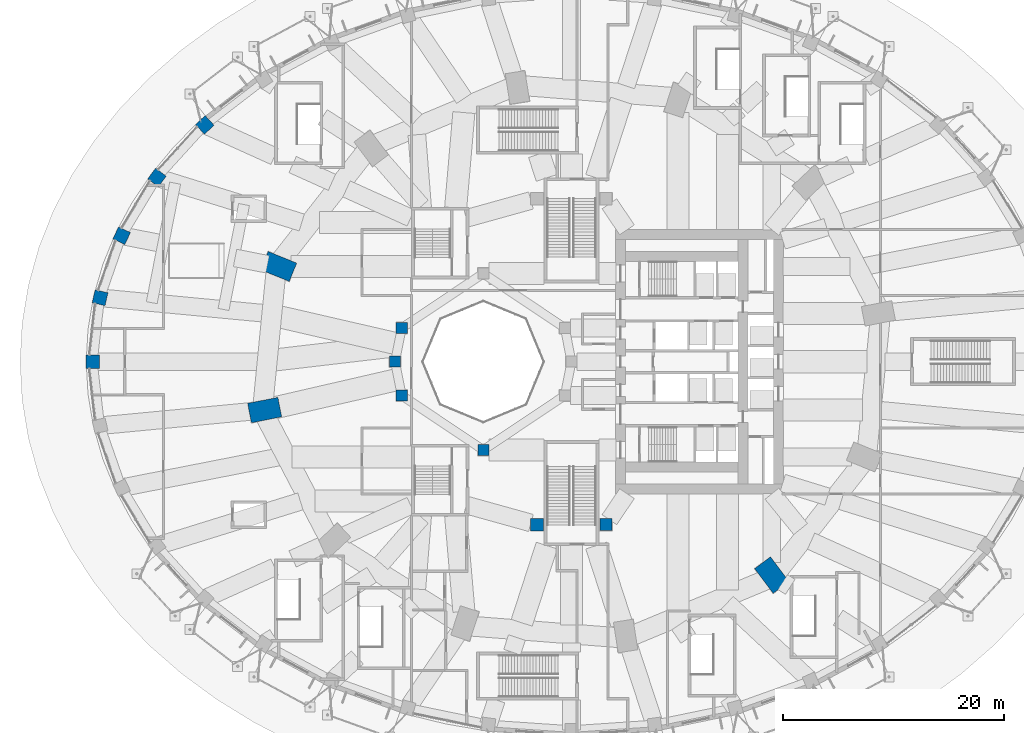
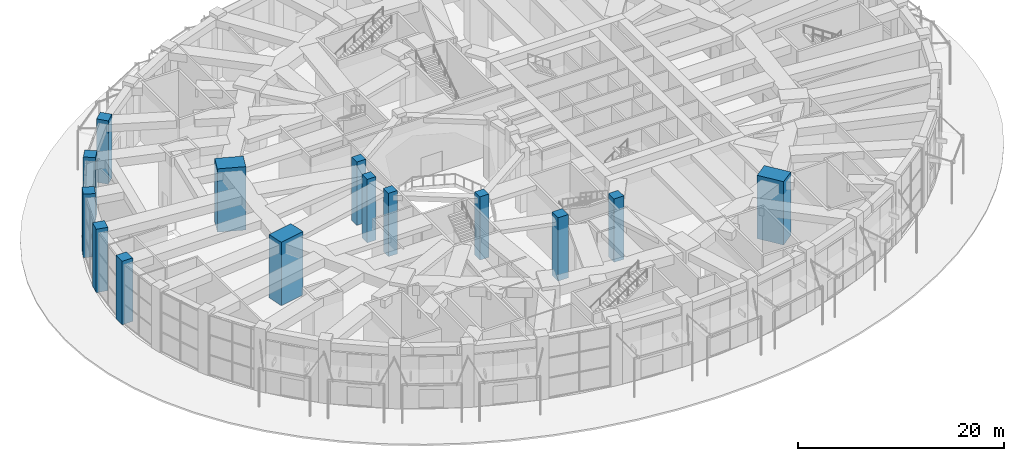
# One storey, part 8 of 60: 14 columns.
"""IFC4 building model written with IfcOpenShell, lengths in metres."""

import ifcopenshell
import ifcopenshell.guid

model = None  # the IFC model being written
_history = None  # IfcOwnerHistory: only IFC2X3 demands one
_inside = {}  # id of a spatial element -> (the spatial element, [elements in it])
_under = {}  # id of a project, library or spatial element -> (it, [spatial elements below it])
_declared = {}  # id of a project -> (the project, [libraries it declares])
_typed = {}  # id of a type object -> (the type object, [elements of that type])
_made_of = {}  # id of a material, layer set ... -> (it, [elements and type objects made of it])


def new_model(schema):
    """Start an empty IFC model of exactly this schema.

    Asked for "IFC4X3", IfcOpenShell would pick the latest addendum, in which some entities
    have other attributes; the version numbers below select the first issue.
    IFC2X3 requires an IfcOwnerHistory on every rooted entity: one is made here for all.
    """
    global model, _history
    if schema == "IFC4X3":
        model = ifcopenshell.file(schema_version=(4, 3, 0, 0))
    else:
        model = ifcopenshell.file(schema=schema)
    _inside.clear()
    _under.clear()
    _declared.clear()
    _typed.clear()
    _made_of.clear()
    _history = None
    if model.schema == "IFC2X3":
        org = make("IfcOrganization", Name="unknown")
        user = make(
            "IfcPersonAndOrganization",
            ThePerson=make("IfcPerson", FamilyName="unknown"),
            TheOrganization=org,
        )
        app = make(
            "IfcApplication",
            ApplicationDeveloper=org,
            Version="unknown",
            ApplicationFullName="unknown",
            ApplicationIdentifier="unknown",
        )
        _history = make(
            "IfcOwnerHistory",
            OwningUser=user,
            OwningApplication=app,
            ChangeAction="ADDED",
            CreationDate=0,
        )
    return model


def make(cls, **values):
    """One entity of the class cls with the attributes given. An attribute that is None is left unset."""
    return model.create_entity(
        cls, **{name: value for name, value in values.items() if value is not None}
    )


def rooted(cls, **values):
    """An entity with a GlobalId (a new one), such as an element, a storey or a relation."""
    return make(cls, GlobalId=ifcopenshell.guid.new(), OwnerHistory=_history, **values)


def si_unit(unit_type, name, prefix=None):
    """IfcSIUnit, for example si_unit("LENGTHUNIT", "METRE", prefix="MILLI")."""
    return make("IfcSIUnit", UnitType=unit_type, Prefix=prefix, Name=name)


def assignment(units):
    """IfcUnitAssignment: the units of a project."""
    return None if units is None else make("IfcUnitAssignment", Units=units)


def point(xyz):
    """IfcCartesianPoint."""
    return None if xyz is None else make("IfcCartesianPoint", Coordinates=xyz)


def direction(xyz):
    """IfcDirection."""
    return None if xyz is None else make("IfcDirection", DirectionRatios=xyz)


def frame(location, z_axis=None, x_axis=None):
    """IfcAxis2Placement3D, a coordinate frame: its origin and axes. An axis left out is left unset."""
    return make(
        "IfcAxis2Placement3D",
        Location=point(location),
        Axis=direction(z_axis),
        RefDirection=direction(x_axis),
    )


def frame_2d(location, x_axis=None):
    """IfcAxis2Placement2D, a coordinate frame in the plane: its origin and x axis."""
    return make(
        "IfcAxis2Placement2D", Location=point(location), RefDirection=direction(x_axis)
    )


def origin():
    """The frame at (0, 0, 0) with its axes left unset."""
    return frame((0.0, 0.0, 0.0))


def origin_2d():
    """The frame at (0, 0) in the plane with its x axis left unset."""
    return frame_2d((0.0, 0.0))


def place(relative_to, where):
    """IfcLocalPlacement: puts the frame where relative to a parent placement (None: the world)."""
    return make(
        "IfcLocalPlacement", PlacementRelTo=relative_to, RelativePlacement=where
    )


def context(
    kind, dimensions, precision=None, world=None, true_north=None, identifier=None
):
    """IfcGeometricRepresentationContext, for example the 3D "Model" context."""
    return make(
        "IfcGeometricRepresentationContext",
        ContextIdentifier=identifier,
        ContextType=kind,
        CoordinateSpaceDimension=dimensions,
        Precision=precision,
        WorldCoordinateSystem=world,
        TrueNorth=true_north,
    )


def subcontext(parent, identifier, kind, view, scale=None):
    """IfcGeometricRepresentationSubContext, for example "Body" below "Model"."""
    return make(
        "IfcGeometricRepresentationSubContext",
        ContextIdentifier=identifier,
        ContextType=kind,
        ParentContext=parent,
        TargetScale=scale,
        TargetView=view,
    )


def project(units=None, contexts=None):
    """IfcProject with its units and contexts."""
    return rooted(
        "IfcProject",
        Name="project",
        RepresentationContexts=contexts,
        UnitsInContext=assignment(units),
    )


def spatial(cls, under=None, at=None, **own):
    """A site, building, storey or space (cls), placed at a placement, below another one or the project."""
    s = rooted(cls, ObjectPlacement=at, **own)
    if under is not None:
        _under.setdefault(under.id(), (under, []))[1].append(s)
    return s


def profile(cls, at=None, kind="AREA", **sizes):
    """A parametric profile (cls). Its sizes go by their IFC names, for example OverallWidth=200.0."""
    return make(cls, ProfileType=kind, Position=at, **sizes)


def rectangle(**sizes):
    """IfcRectangleProfileDef."""
    return profile("IfcRectangleProfileDef", **sizes)


def extrude(swept, where, along, depth):
    """IfcExtrudedAreaSolid: the profile swept, set in the frame where, extruded along a direction by depth."""
    return make(
        "IfcExtrudedAreaSolid",
        SweptArea=swept,
        Position=where,
        ExtrudedDirection=direction(along),
        Depth=depth,
    )


def shape(context_of_items, identifier, shape_type, items):
    """IfcShapeRepresentation: the items that make up one representation, for example the "Body"."""
    return make(
        "IfcShapeRepresentation",
        ContextOfItems=context_of_items,
        RepresentationIdentifier=identifier,
        RepresentationType=shape_type,
        Items=items,
    )


def material(Name=None, Category=None):
    """IfcMaterial."""
    return make("IfcMaterial", Name=Name, Category=Category)


def material_profile(
    of_material, cross_section, Name=None, Category=None, Priority=None
):
    """IfcMaterialProfile: a cross section and its material."""
    return make(
        "IfcMaterialProfile",
        Name=Name,
        Material=of_material,
        Profile=cross_section,
        Priority=Priority,
        Category=Category,
    )


def profile_set(profiles, Name=None, composite=None):
    """IfcMaterialProfileSet."""
    return make(
        "IfcMaterialProfileSet",
        Name=Name,
        MaterialProfiles=profiles,
        CompositeProfile=composite,
    )


def made_of(thing, what):
    """Note that an element or type object is made of a material, layer set ...; save() writes the relation."""
    if what is not None:
        _made_of.setdefault(what.id(), (what, []))[1].append(thing)
    return thing


def type_object(cls, material=None, **own):
    """A type object (cls), such as IfcWallType, which elements share."""
    return made_of(rooted(cls, **own), material)


def element(
    cls,
    number,
    at=None,
    inside=None,
    cuts=None,
    type_object=None,
    material=None,
    context=None,
    identifier="Body",
    shape_type=None,
    held_by="IfcProductDefinitionShape",
    body=None,
    shapes=None,
    **own,
):
    """One element of the class cls, such as IfcWall. Its Tag is "e" and its number.

    at: its placement. inside: the storey or other place that contains it. cuts: it is an
    opening in that element (IfcRelVoidsElement). A single representation is given by context,
    identifier, shape_type and body (its items); several are given by shapes. held_by: the class
    of the entity that holds the representations. save() writes the other relations.
    """
    e = rooted(cls, Tag="e%d" % number, ObjectPlacement=at, **own)
    if body is not None:
        shapes = [shape(context, identifier, shape_type, body)]
    if shapes is not None:
        e.Representation = make(held_by, Representations=shapes)
    if inside is not None:
        _inside.setdefault(inside.id(), (inside, []))[1].append(e)
    if cuts is not None:
        rooted(
            "IfcRelVoidsElement", RelatingBuildingElement=cuts, RelatedOpeningElement=e
        )
    if type_object is not None:
        _typed.setdefault(type_object.id(), (type_object, []))[1].append(e)
    return made_of(e, material)


def aggregate(whole, parts):
    """IfcRelAggregates: a whole, such as a stair, and the parts it consists of."""
    return rooted("IfcRelAggregates", RelatingObject=whole, RelatedObjects=parts)


def save(model, path):
    """Write the relations noted so far, then the file.

    IfcRelAggregates (storeys below a building ...), IfcRelContainedInSpatialStructure (elements
    in a storey), IfcRelDefinesByType, IfcRelAssociatesMaterial and IfcRelDeclares: one each for
    every whole, place, type object, material and project.
    """
    for whole, parts in _under.values():
        aggregate(whole, parts)
    for where, things in _inside.values():
        rooted(
            "IfcRelContainedInSpatialStructure",
            RelatedElements=things,
            RelatingStructure=where,
        )
    for kind, things in _typed.values():
        rooted("IfcRelDefinesByType", RelatedObjects=things, RelatingType=kind)
    for what, things in _made_of.values():
        rooted("IfcRelAssociatesMaterial", RelatedObjects=things, RelatingMaterial=what)
    for by, libraries in _declared.values():
        rooted("IfcRelDeclares", RelatingContext=by, RelatedDefinitions=libraries)
    model.write(path)


model = new_model("IFC4")

# Units and contexts
model_context = context("Model", 3, precision=1e-05, world=origin(), true_north=direction((0.0, 1.0)))
body_context = subcontext(model_context, "Body", "Model", "MODEL_VIEW")
ifc_project = project(units=[si_unit("LENGTHUNIT", "METRE"), si_unit("AREAUNIT", "SQUARE_METRE"), si_unit("VOLUMEUNIT", "CUBIC_METRE"), si_unit("PLANEANGLEUNIT", "RADIAN"), si_unit("MASSUNIT", "GRAM", prefix="KILO")], contexts=[model_context])

# Site, building, storey
site_placement = place(None, origin())
site = spatial("IfcSite", under=ifc_project, at=site_placement, CompositionType="ELEMENT")
building_placement = place(site_placement, origin())
building = spatial("IfcBuilding", under=site, at=building_placement, Name="Taillehof Tower", CompositionType="ELEMENT")
storey_placement = place(building_placement, origin())
storey = spatial("IfcBuildingStorey", under=building, at=storey_placement, Name="L00", CompositionType="ELEMENT", Elevation=0.0)

# Columns
ifc_material_1 = material(Name="Concrete C50/60", Category="concrete")
ifc_material_profile_1 = material_profile(ifc_material_1, rectangle(XDim=1.0, YDim=1.0, at=origin_2d()), Name="RC 1000x1000")
ifc_profile_set_1 = profile_set([ifc_material_profile_1], Name="Concrete C50/60")
column_type_1 = type_object("IfcColumnType", Name="Atrium ring column C50/60 1000x1000", PredefinedType="COLUMN", material=ifc_profile_set_1)
column_1_placement = place(storey_placement, frame((-16.0, 0.0, 0.0), z_axis=(0.0, 0.0, 1.0), x_axis=(1.0, 0.0, 0.0)))
element("IfcColumn", 1, at=column_1_placement, inside=storey, type_object=column_type_1, Name="Column AC09", PredefinedType="COLUMN", context=body_context, shape_type="SweptSolid", body=[
    extrude(rectangle(XDim=1.0, YDim=1.0, at=origin_2d()), origin(), (0.0, 0.0, 1.0), 7.5),
])
ifc_material_2 = material(Name="Concrete C60/75", Category="concrete")
ifc_material_profile_2 = material_profile(ifc_material_2, rectangle(XDim=1.0, YDim=1.0, at=origin_2d()), Name="RC 1000x1000")
ifc_profile_set_2 = profile_set([ifc_material_profile_2], Name="Concrete C60/75")
column_type_2 = type_object("IfcColumnType", Name="Atrium ring column C60/75 1000x1000", PredefinedType="COLUMN", material=ifc_profile_set_2)
for number, where, z_axis, x_axis, name in (
    (2, (-15.39111328125, 3.0615234375, 0.0), (0.0, 0.0, 1.0), (1.0, 0.0, 0.0), "Column AC08"),
    (3, (-15.39111328125, -3.0615234375, 0.0), (0.0, 0.0, 1.0), (1.0, 0.0, 0.0), "Column AC10"),
    (4, (-8.0, -8.0, 0.0), (0.0, 0.0, 1.0), (1.0, 0.0, 0.0), "Column AC13"),
):
    element("IfcColumn", number, at=place(storey_placement, frame(where, z_axis=z_axis, x_axis=x_axis)), inside=storey, type_object=column_type_2, Name=name, PredefinedType="COLUMN", context=body_context, shape_type="SweptSolid", body=[
        extrude(rectangle(XDim=1.0, YDim=1.0, at=origin_2d()), origin(), (0.0, 0.0, 1.0), 7.5),
    ])
ifc_material_3 = material(Name="Concrete C80/95", Category="concrete")
ifc_material_profile_3 = material_profile(ifc_material_3, rectangle(XDim=2.800048828125, YDim=1.800048828125, at=origin_2d()), Name="RC 2800x1800")
ifc_profile_set_3 = profile_set([ifc_material_profile_3], Name="Concrete C80/95")
column_type_3 = type_object("IfcColumnType", Name="Mega column C80/95 2800x1800", PredefinedType="COLUMN", material=ifc_profile_set_3)
for number, where, z_axis, x_axis, name in (
    (5, (-26.54638671875, 8.635986328125, 0.0), (0.0, 0.0, 1.0), (-0.926558045297, 0.37615181602, 0.0), "Mega column MG06"),
    (6, (-27.82080078125, -4.384521484375, 0.0), (0.0, 0.0, 1.0), (-0.98120354895, -0.192975634545, 0.0), "Mega column MG07"),
    (7, (18.15869140625, -19.342529296875, 0.0), (0.0, 0.0, 1.0), (0.601173783055, -0.79911831575, 0.0), "Mega column MG11"),
):
    element("IfcColumn", number, at=place(storey_placement, frame(where, z_axis=z_axis, x_axis=x_axis)), inside=storey, type_object=column_type_3, Name=name, PredefinedType="COLUMN", context=body_context, shape_type="SweptSolid", body=[
        extrude(rectangle(XDim=2.800048828125, YDim=1.800048828125, at=origin_2d()), origin(), (0.0, 0.0, 1.0), 7.5),
    ])
ifc_material_4 = material(Name="Concrete C70/85", Category="concrete")
ifc_material_profile_4 = material_profile(ifc_material_4, rectangle(XDim=1.10009765625, YDim=1.10009765625, at=origin_2d()), Name="RC 1100x1100")
ifc_profile_set_4 = profile_set([ifc_material_profile_4], Name="Concrete C70/85")
column_type_4 = type_object("IfcColumnType", Name="Mid-ring column C70/85 1100x1100", PredefinedType="COLUMN", material=ifc_profile_set_4)
column_2_placement = place(storey_placement, frame((3.125732421875, -14.772216796875, 0.0), z_axis=(0.0, 0.0, 1.0), x_axis=(1.0, 0.0, 0.0)))
element("IfcColumn", 8, at=column_2_placement, inside=storey, type_object=column_type_4, Name="Column MC15", PredefinedType="COLUMN", context=body_context, shape_type="SweptSolid", body=[
    extrude(rectangle(XDim=1.10009765625, YDim=1.10009765625, at=origin_2d()), origin(), (0.0, 0.0, 1.0), 7.5),
])
ifc_material_5 = material(Name="Concrete C80/95", Category="concrete")
ifc_material_profile_5 = material_profile(ifc_material_5, rectangle(XDim=1.14990234375, YDim=1.14990234375, at=origin_2d()), Name="RC 1150x1150")
ifc_profile_set_5 = profile_set([ifc_material_profile_5], Name="Concrete C80/95")
column_type_5 = type_object("IfcColumnType", Name="Mid-ring column C80/95 1150x1150", PredefinedType="COLUMN", material=ifc_profile_set_5)
column_3_placement = place(storey_placement, frame((-3.125732421875, -14.772216796875, 0.0), z_axis=(0.0, 0.0, 1.0), x_axis=(1.0, 0.0, 0.0)))
element("IfcColumn", 9, at=column_3_placement, inside=storey, type_object=column_type_5, Name="Column MC14", PredefinedType="COLUMN", context=body_context, shape_type="SweptSolid", body=[
    extrude(rectangle(XDim=1.14990234375, YDim=1.14990234375, at=origin_2d()), origin(), (0.0, 0.0, 1.0), 7.5),
])
ifc_material_6 = material(Name="Concrete C60/75", Category="concrete")
ifc_material_profile_6 = material_profile(ifc_material_6, rectangle(XDim=1.199951171875, YDim=1.199951171875, at=origin_2d()), Name="RC 1200x1200")
ifc_profile_set_6 = profile_set([ifc_material_profile_6], Name="Concrete C60/75")
column_type_6 = type_object("IfcColumnType", Name="Podium column C60/75 1200x1200", PredefinedType="COLUMN", material=ifc_profile_set_6)
for number, where, z_axis, x_axis, name in (
    (10, (-33.246337890625, 21.468994140625, 0.0), (0.0, 0.0, 1.0), (-0.677415246737, 0.735600831626, 0.0), "Podium column PC15"),
    (11, (-37.58544921875, 16.699951171875, 0.0), (0.0, 0.0, 1.0), (-0.80109108527, 0.598542457225, 0.0), "Podium column PC16"),
    (12, (-40.78271484375, 11.423583984375, 0.0), (0.0, 0.0, 1.0), (-0.904668034967, 0.426117057284, 0.0), "Podium column PC17"),
    (13, (-42.74072265625, 5.7998046875, 0.0), (0.0, 0.0, 1.0), (-0.974939689593, 0.222469327451, 0.0), "Podium column PC18"),
    (14, (-43.39990234375, 0.0, 0.0), (0.0, 0.0, 1.0), (-1.0, 0.0, 0.0), "Podium column PC19"),
):
    element("IfcColumn", number, at=place(storey_placement, frame(where, z_axis=z_axis, x_axis=x_axis)), inside=storey, type_object=column_type_6, Name=name, PredefinedType="COLUMN", context=body_context, shape_type="SweptSolid", body=[
        extrude(rectangle(XDim=1.199951171875, YDim=1.199951171875, at=origin_2d()), origin(), (0.0, 0.0, 1.0), 7.5),
    ])

save(model, "model.ifc")
